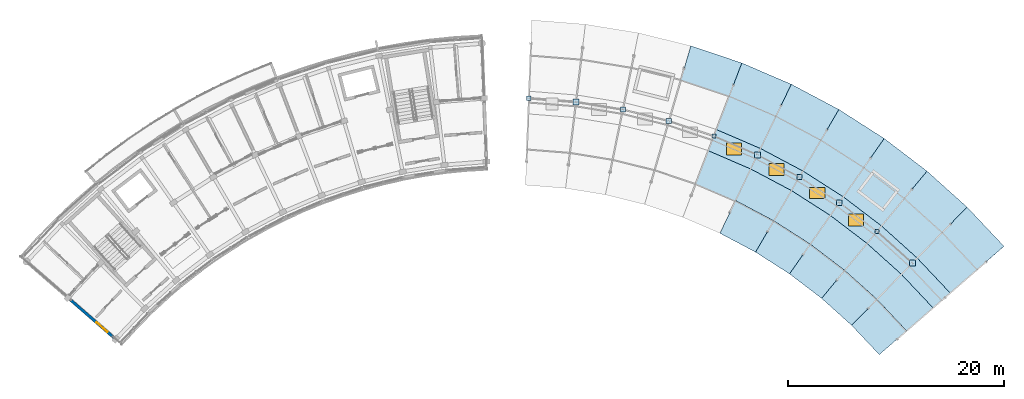
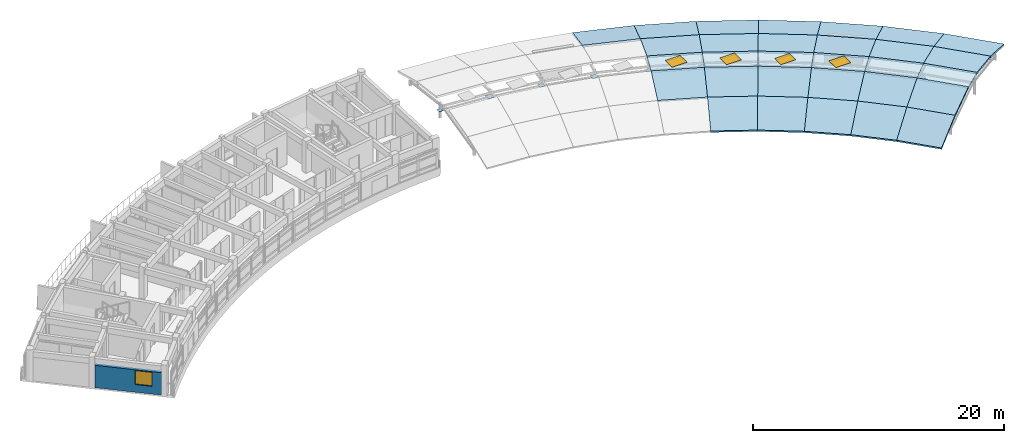
# One storey, part 14 of 20: 30 slabs, 10 plates, 5 windows, 1 wall, 5 openings.
"""IFC4 building model written with IfcOpenShell, lengths in metres."""

from ifc_helpers import new_model, si_unit, direction, frame, frame_2d, origin, origin_2d, place, context, subcontext, project, spatial, polyline, rectangle, outline, extrude, material, layer, layer_set, type_object, element, fill, save


model = new_model("IFC4")

# Units and contexts
model_context = context("Model", 3, precision=1e-05, world=origin(), true_north=direction((0.0, 1.0)))
body_context = subcontext(model_context, "Body", "Model", "MODEL_VIEW")
ifc_project = project(units=[si_unit("LENGTHUNIT", "METRE"), si_unit("AREAUNIT", "SQUARE_METRE"), si_unit("VOLUMEUNIT", "CUBIC_METRE"), si_unit("PLANEANGLEUNIT", "RADIAN"), si_unit("MASSUNIT", "GRAM", prefix="KILO")], contexts=[model_context])

# Site, building, storey
site_placement = place(None, origin())
site = spatial("IfcSite", under=ifc_project, at=site_placement, CompositionType="ELEMENT")
building_placement = place(site_placement, origin())
building = spatial("IfcBuilding", under=site, at=building_placement, Name="Zimvara Arc Housing Community", CompositionType="ELEMENT")
storey_placement = place(building_placement, frame((0.0, 0.0, 39.10009765625)))
storey = spatial("IfcBuildingStorey", under=building, at=storey_placement, Name="L12", CompositionType="ELEMENT", Elevation=39.10009765625)

# Plates
ifc_material_1 = material(Name="Steel S355", Category="steel")
ifc_layer_1 = layer(ifc_material_1, 0.02490234375)
ifc_layer_set_1 = layer_set([ifc_layer_1], Name="Steel S355")
plate_type_1 = type_object("IfcPlateType", Name="PLT-CONN-01", PredefinedType="SHEET", material=ifc_layer_set_1)
for number, where, z_axis, x_axis, name in (
    (1, (55.78125, 97.208740234375, 0.757568359375), (0.0, 0.0, 1.0), (1.0, 0.0, 0.0), "plate:brace_end:013"),
    (2, (72.12744140625, 90.960205078125, 0.757568359375), (0.0, 0.0, 1.0), (1.0, 0.0, 0.0), "plate:brace_end:017"),
):
    element("IfcPlate", number, at=place(storey_placement, frame(where, z_axis=z_axis, x_axis=x_axis)), inside=storey, type_object=plate_type_1, Name=name, PredefinedType="SHEET", context=body_context, shape_type="SweptSolid", body=[
        extrude(rectangle(XDim=0.449951171875, YDim=0.449951171875, at=origin_2d()), origin(), (0.0, 0.0, 1.0), 0.02490234375),
    ])
ifc_material_2 = material(Name="Steel S355", Category="steel")
ifc_layer_2 = layer(ifc_material_2, 0.030029296875)
ifc_layer_set_2 = layer_set([ifc_layer_2], Name="Steel S355")
plate_type_2 = type_object("IfcPlateType", Name="PLT-CONN-02", PredefinedType="SHEET", material=ifc_layer_set_2)
for number, where, z_axis, x_axis, name in (
    (3, (60.0458984375, 96.1533203125, 0.7548828125), (0.0, 0.0, 1.0), (1.0, 0.0, 0.0), "plate:brace_end:014"),
    (4, (75.82763671875, 88.591796875, 0.7548828125), (0.0, 0.0, 1.0), (1.0, 0.0, 0.0), "plate:brace_end:018"),
):
    element("IfcPlate", number, at=place(storey_placement, frame(where, z_axis=z_axis, x_axis=x_axis)), inside=storey, type_object=plate_type_2, Name=name, PredefinedType="SHEET", context=body_context, shape_type="SweptSolid", body=[
        extrude(rectangle(XDim=0.5, YDim=0.5, at=origin_2d()), origin(), (0.0, 0.0, 1.0), 0.030029296875),
    ])
ifc_material_3 = material(Name="Steel S355", Category="steel")
ifc_layer_3 = layer(ifc_material_3, 0.02197265625)
ifc_layer_set_3 = layer_set([ifc_layer_3], Name="Steel S355")
plate_type_3 = type_object("IfcPlateType", Name="PLT-CONN-03", PredefinedType="SHEET", material=ifc_layer_set_3)
for number, where, z_axis, x_axis, name in (
    (5, (47.065185546875, 98.26025390625, 0.759033203125), (0.0, 0.0, 1.0), (1.0, 0.0, 0.0), "plate:brace_end:011"),
    (6, (64.2099609375, 94.75341796875, 0.759033203125), (0.0, 0.0, 1.0), (1.0, 0.0, 0.0), "plate:brace_end:015"),
    (7, (79.322265625, 85.9296875, 0.759033203125), (0.0, 0.0, 1.0), (1.0, 0.0, 0.0), "plate:brace_end:019"),
):
    element("IfcPlate", number, at=place(storey_placement, frame(where, z_axis=z_axis, x_axis=x_axis)), inside=storey, type_object=plate_type_3, Name=name, PredefinedType="SHEET", context=body_context, shape_type="SweptSolid", body=[
        extrude(rectangle(XDim=0.3798828125, YDim=0.3798828125, at=origin_2d()), origin(), (0.0, 0.0, 1.0), 0.02197265625),
    ])
ifc_material_4 = material(Name="Steel S355", Category="steel")
ifc_layer_4 = layer(ifc_material_4, 0.034912109375)
ifc_layer_set_4 = layer_set([ifc_layer_4], Name="Steel S355")
plate_type_4 = type_object("IfcPlateType", Name="PLT-CONN-04", PredefinedType="SHEET", material=ifc_layer_set_4)
for number, where, z_axis, x_axis, name in (
    (8, (51.44482421875, 97.91259765625, 0.75244140625), (0.0, 0.0, 1.0), (1.0, 0.0, 0.0), "plate:brace_end:012"),
    (9, (68.24609375, 93.0185546875, 0.75244140625), (0.0, 0.0, 1.0), (1.0, 0.0, 0.0), "plate:brace_end:016"),
    (10, (82.588134765625, 82.9912109375, 0.75244140625), (0.0, 0.0, 1.0), (1.0, 0.0, 0.0), "plate:brace_end:020"),
):
    element("IfcPlate", number, at=place(storey_placement, frame(where, z_axis=z_axis, x_axis=x_axis)), inside=storey, type_object=plate_type_4, Name=name, PredefinedType="SHEET", context=body_context, shape_type="SweptSolid", body=[
        extrude(rectangle(XDim=0.550048828125, YDim=0.550048828125, at=origin_2d()), origin(), (0.0, 0.0, 1.0), 0.034912109375),
    ])

# Slabs
ifc_material_5 = material(Name="Concrete C40/50", Category="concrete")
ifc_layer_5 = layer(ifc_material_5, 0.179931640625)
ifc_layer_set_5 = layer_set([ifc_layer_5], Name="Concrete C40/50")
slab_type_1 = type_object("IfcSlabType", Name="SLB-BRL-ROOF-180", PredefinedType="ROOF", material=ifc_layer_set_5)
slab_1_placement = place(storey_placement, frame((66.798828125, 101.525634765625, 0.119873046875), z_axis=(0.09247516738, 0.275102849647, 0.95695703432), x_axis=(-0.947886389233, 0.318608526361, 6.101609e-06)))
element("IfcSlab", 11, at=slab_1_placement, inside=storey, type_object=slab_type_1, Name="roof:blkB:out2:b3:t0", PredefinedType="ROOF", context=body_context, shape_type="SweptSolid", body=[
    extrude(outline(polyline([(0.0, 0.0), (4.985389653929499, 0.0), (4.850734550634084, 3.445445679281157), (0.1349417331985991, 3.4456496309847697), (0.0, 0.0)])), origin(), (0.0, 0.0, -1.0), 0.179931640625),
])
slab_2_placement = place(storey_placement, frame((62.513916015625, 90.316650390625, 1.119873046875), z_axis=(-0.070712457889, -0.164501230055, 0.983838957152), x_axis=(0.918721848751, -0.39490526031, 2.722971e-06)))
element("IfcSlab", 12, at=slab_2_placement, inside=storey, type_object=slab_type_1, Name="roof:blkB:in2:b4:t0", PredefinedType="ROOF", context=body_context, shape_type="SweptSolid", body=[
    extrude(outline(polyline([(0.0, 0.0), (4.00548965033428, 0.0), (4.140120306239415, 3.351396979136369), (-0.13461834953424712, 3.351522899930278), (0.0, 0.0)])), origin(), (0.0, 0.0, -1.0), 0.179931640625),
])
slab_3_placement = place(storey_placement, frame((71.37890625, 99.556884765625, 0.119873046875), z_axis=(0.114611047835, 0.266632099941, 0.956959576469), x_axis=(-0.918719042935, 0.394911787806, -8.43398e-07)))
element("IfcSlab", 13, at=slab_3_placement, inside=storey, type_object=slab_type_1, Name="roof:blkB:out2:b4:t0", PredefinedType="ROOF", context=body_context, shape_type="SweptSolid", body=[
    extrude(outline(polyline([(0.0, 0.0), (4.985287573809982, 0.0), (4.850643319133589, 3.445661268397966), (0.13482904830685236, 3.4456330765084333), (0.0, 0.0)])), origin(), (0.0, 0.0, -1.0), 0.179931640625),
])
slab_4_placement = place(storey_placement, frame((69.952880859375, 96.580810546875, 1.119873046875), z_axis=(0.070710621349, 0.164504777522, 0.983838495994), x_axis=(-0.918721451973, 0.394906183397, -5.98803e-07)))
element("IfcSlab", 14, at=slab_4_placement, inside=storey, type_object=slab_type_1, Name="roof:blkB:out1:b4:t0", PredefinedType="ROOF", context=body_context, shape_type="SweptSolid", body=[
    extrude(outline(polyline([(0.0, 0.0), (4.715814270912177, -2.220446049250313e-16), (4.580966317737475, 3.3514278322517437), (0.13462534962344344, 3.351397192310583), (0.0, 0.0)])), origin(), (0.0, 0.0, -1.0), 0.179931640625),
])
slab_5_placement = place(storey_placement, frame((64.767822265625, 85.7587890625, 0.119873046875), z_axis=(-0.135986745454, -0.256395013371, 0.95695830744), x_axis=(0.883439094078, -0.468546013796, 3.287226e-06)))
element("IfcSlab", 15, at=slab_5_placement, inside=storey, type_object=slab_type_1, Name="roof:blkB:in1:b5:t0", PredefinedType="ROOF", context=body_context, shape_type="SweptSolid", body=[
    extrude(outline(polyline([(0.0, 0.0), (3.7360078202528384, 0.0), (3.8706057869472996, 3.4455536537268587), (-0.1346178455038656, 3.445641334457608), (0.0, 0.0)])), origin(), (0.0, 0.0, -1.0), 0.179931640625),
])
slab_6_placement = place(storey_placement, frame((66.19384765625, 88.73486328125, 1.119873046875), z_axis=(-0.083896599764, -0.158184502053, 0.983838921703), x_axis=(0.883429102456, -0.468564852422, -3.049312e-06)))
element("IfcSlab", 16, at=slab_6_placement, inside=storey, type_object=slab_type_1, Name="roof:blkB:in2:b5:t0", PredefinedType="ROOF", context=body_context, shape_type="SweptSolid", body=[
    extrude(outline(polyline([(0.0, 0.0), (4.005223633412223, 0.0), (4.13996185236109, 3.3515267973960094), (-0.13490895700299163, 3.3513857877843596), (0.0, 0.0)])), origin(), (0.0, 0.0, -1.0), 0.179931640625),
])
slab_7_placement = place(storey_placement, frame((75.782958984375, 97.220947265625, 0.119873046875), z_axis=(0.135988231585, 0.256404064967, 0.956955671042), x_axis=(-0.883425537686, 0.468571573286, -8.54743e-06)))
element("IfcSlab", 17, at=slab_7_placement, inside=storey, type_object=slab_type_1, Name="roof:blkB:out2:b5:t0", PredefinedType="ROOF", context=body_context, shape_type="SweptSolid", body=[
    extrude(outline(polyline([(0.0, 0.0), (4.985206564334068, -2.220446049250313e-16), (4.8504814854750435, 3.4456371430200474), (0.13460513321812279, 3.4453514449486655), (0.0, 0.0)])), origin(), (0.0, 0.0, -1.0), 0.179931640625),
])
slab_8_placement = place(storey_placement, frame((74.119140625, 94.371337890625, 1.119873046875), z_axis=(0.083893074073, 0.15818637194, 0.983838921702), x_axis=(-0.883453774084, 0.46851833374, 2.477548e-06)))
element("IfcSlab", 18, at=slab_8_placement, inside=storey, type_object=slab_type_1, Name="roof:blkB:out1:b5:t0", PredefinedType="ROOF", context=body_context, shape_type="SweptSolid", body=[
    extrude(outline(polyline([(0.0, 0.0), (4.715876361106288, 4.440892098500626e-16), (4.581144340152476, 3.3513929056118434), (0.13491516216377095, 3.351519679241113), (0.0, 0.0)])), origin(), (0.0, 0.0, -1.0), 0.179931640625),
])
slab_9_placement = place(storey_placement, frame((68.068359375, 84.00830078125, 0.119873046875), z_axis=(-0.156447102346, -0.244455462342, 0.956956546087), x_axis=(0.842280674897, -0.539039205154, 1.350984e-06)))
element("IfcSlab", 19, at=slab_9_placement, inside=storey, type_object=slab_type_1, Name="roof:blkB:in1:b6:t0", PredefinedType="ROOF", context=body_context, shape_type="SweptSolid", body=[
    extrude(outline(polyline([(0.0, 0.0), (3.735671069869153, 4.440892098500626e-16), (3.8707722334182453, 3.4455105282251943), (-0.13477937224216355, 3.4455465624924706), (0.0, 0.0)])), origin(), (0.0, 0.0, -1.0), 0.179931640625),
])
slab_10_placement = place(storey_placement, frame((69.732177734375, 86.858154296875, 1.119873046875), z_axis=(-0.096520263399, -0.150811921705, 0.983839216043), x_axis=(0.842275634914, -0.539047080343, 1.971929e-06)))
element("IfcSlab", 20, at=slab_10_placement, inside=storey, type_object=slab_type_1, Name="roof:blkB:in2:b6:t0", PredefinedType="ROOF", context=body_context, shape_type="SweptSolid", body=[
    extrude(outline(polyline([(0.0, 0.0), (4.005551605817919, -2.220446049250313e-16), (4.140284536327974, 3.351440968343622), (-0.13460473492920297, 3.351532161076983), (0.0, 0.0)])), origin(), (0.0, 0.0, -1.0), 0.179931640625),
])
slab_11_placement = place(storey_placement, frame((79.98193359375, 94.53369140625, 0.119873046875), z_axis=(0.15645556572, 0.244456343302, 0.956954937379), x_axis=(-0.842278268879, 0.539042964638, 6.950205e-06)))
element("IfcSlab", 21, at=slab_11_placement, inside=storey, type_object=slab_type_1, Name="roof:blkB:out2:b6:t0", PredefinedType="ROOF", context=body_context, shape_type="SweptSolid", body=[
    extrude(outline(polyline([(0.0, 0.0), (4.98525143023, 4.440892098500626e-16), (4.850594542336752, 3.445349422672999), (0.13475480914106122, 3.445581731723394), (0.0, 0.0)])), origin(), (0.0, 0.0, -1.0), 0.179931640625),
])
slab_12_placement = place(storey_placement, frame((78.091064453125, 91.8291015625, 1.119873046875), z_axis=(0.096524010995, 0.150809523184, 0.98383921604), x_axis=(-0.842251807739, 0.539084309138, -1.549914e-06)))
element("IfcSlab", 22, at=slab_12_placement, inside=storey, type_object=slab_type_1, Name="roof:blkB:out1:b6:t0", PredefinedType="ROOF", context=body_context, shape_type="SweptSolid", body=[
    extrude(outline(polyline([(0.0, 0.0), (4.715839739050771, 0.0), (4.581087144152352, 3.3515262194373645), (0.13458507437067185, 3.3514469091157877), (0.0, 0.0)])), origin(), (0.0, 0.0, -1.0), 0.179931640625),
])
slab_13_placement = place(storey_placement, frame((71.21484375, 81.99462890625, 0.119873046875), z_axis=(-0.175882009025, -0.230875457384, 0.956954566361), x_axis=(0.79548303018, -0.605975864746, 6.477378e-06)))
element("IfcSlab", 23, at=slab_13_placement, inside=storey, type_object=slab_type_1, Name="roof:blkB:in1:b7:t0", PredefinedType="ROOF", context=body_context, shape_type="SweptSolid", body=[
    extrude(outline(polyline([(0.0, 0.0), (3.7359934375398796, -2.220446049250313e-16), (3.8708762257005436, 3.4453646679605323), (-0.1344132252627734, 3.4455374339521794), (0.0, 0.0)])), origin(), (0.0, 0.0, -1.0), 0.179931640625),
])
slab_14_placement = place(storey_placement, frame((73.10595703125, 84.698974609375, 1.119873046875), z_axis=(-0.108511024271, -0.142432268418, 0.983838607966), x_axis=(0.795456857751, -0.606010220588, 4.35026e-07)))
element("IfcSlab", 24, at=slab_14_placement, inside=storey, type_object=slab_type_1, Name="roof:blkB:in2:b7:t0", PredefinedType="ROOF", context=body_context, shape_type="SweptSolid", body=[
    extrude(outline(polyline([(0.0, 0.0), (4.005289454768839, 0.0), (4.139875677323969, 3.351413969958724), (-0.13490400173161937, 3.3514340866611083), (0.0, 0.0)])), origin(), (0.0, 0.0, -1.0), 0.179931640625),
])
slab_15_placement = place(storey_placement, frame((83.947509765625, 91.5126953125, 0.119873046875), z_axis=(0.175875567209, 0.230868180919, 0.956957505795), x_axis=(-0.795470079443, 0.605992865231, -7.51366e-07)))
element("IfcSlab", 25, at=slab_15_placement, inside=storey, type_object=slab_type_1, Name="roof:blkB:out2:b7:t0", PredefinedType="ROOF", context=body_context, shape_type="SweptSolid", body=[
    extrude(outline(polyline([(0.0, 0.0), (4.985199271180663, 8.881784197001252e-16), (4.850366196635601, 3.445578670104194), (0.1346571492318466, 3.4455535555913195), (0.0, 0.0)])), origin(), (0.0, 0.0, -1.0), 0.179931640625),
])
slab_16_placement = place(storey_placement, frame((81.84228515625, 88.971435546875, 1.119873046875), z_axis=(0.108506384544, 0.142435802798, 0.983838608002), x_axis=(-0.79547337268, 0.605988542265, -5.33454e-07)))
element("IfcSlab", 26, at=slab_16_placement, inside=storey, type_object=slab_type_1, Name="roof:blkB:out1:b7:t0", PredefinedType="ROOF", context=body_context, shape_type="SweptSolid", body=[
    extrude(outline(polyline([(0.0, 0.0), (4.715709047471562, 0.0), (4.580894323096113, 3.3514376791170313), (0.13467549925456193, 3.351410383589765), (0.0, 0.0)])), origin(), (0.0, 0.0, -1.0), 0.179931640625),
])
slab_17_placement = place(storey_placement, frame((74.186767578125, 79.730712890625, 0.119873046875), z_axis=(-0.194129981956, -0.215749813979, 0.956956408555), x_axis=(0.743345251785, -0.668907943228, -1.1666158e-05)))
element("IfcSlab", 27, at=slab_17_placement, inside=storey, type_object=slab_type_1, Name="roof:blkB:in1:b8:t0", PredefinedType="ROOF", context=body_context, shape_type="SweptSolid", body=[
    extrude(outline(polyline([(0.0, 0.0), (3.735960436017862, -2.220446049250313e-16), (3.870505371153689, 3.44567874427247), (-0.13480848426700914, 3.4453675758774387), (0.0, 0.0)])), origin(), (0.0, 0.0, -1.0), 0.179931640625),
])
slab_18_placement = place(storey_placement, frame((76.2919921875, 82.271728515625, 1.119873046875), z_axis=(-0.119759088135, -0.133110822128, 0.983839046715), x_axis=(0.743397502482, -0.668849873512, -2.591404e-06)))
element("IfcSlab", 28, at=slab_18_placement, inside=storey, type_object=slab_type_1, Name="roof:blkB:in2:b8:t0", PredefinedType="ROOF", context=body_context, shape_type="SweptSolid", body=[
    extrude(outline(polyline([(0.0, 0.0), (4.005313867752914, 4.440892098500626e-16), (4.140126493982731, 3.3515290694115416), (-0.13470411112112585, 3.3514092336918604), (0.0, 0.0)])), origin(), (0.0, 0.0, -1.0), 0.179931640625),
])
slab_19_placement = place(storey_placement, frame((87.653564453125, 88.17822265625, 0.119873046875), z_axis=(0.194121217276, 0.215747860528, 0.956958626943), x_axis=(-0.743390820217, 0.66885730048, 3.552249e-06)))
element("IfcSlab", 29, at=slab_19_placement, inside=storey, type_object=slab_type_1, Name="roof:blkB:out2:b8:t0", PredefinedType="ROOF", context=body_context, shape_type="SweptSolid", body=[
    extrude(outline(polyline([(0.0, 0.0), (4.985333413291151, 4.440892098500626e-16), (4.850601467989946, 3.4455506315936577), (0.1347847908198624, 3.4456693704122747), (0.0, 0.0)])), origin(), (0.0, 0.0, -1.0), 0.179931640625),
])
slab_20_placement = place(storey_placement, frame((85.347900390625, 85.817138671875, 1.119873046875), z_axis=(0.119768131478, 0.133109101782, 0.983838178617), x_axis=(-0.743374059817, 0.668875928099, -9.67496e-07)))
element("IfcSlab", 30, at=slab_20_placement, inside=storey, type_object=slab_type_1, Name="roof:blkB:out1:b8:t0", PredefinedType="ROOF", context=body_context, shape_type="SweptSolid", body=[
    extrude(outline(polyline([(0.0, 0.0), (4.715816678698966, -4.440892098500626e-16), (4.580997978532294, 3.3514046260341583), (0.13486133254204288, 3.351355122176961), (0.0, 0.0)])), origin(), (0.0, 0.0, -1.0), 0.179931640625),
])
slab_21_placement = place(storey_placement, frame((76.9638671875, 77.231689453125, 0.119873046875), z_axis=(-0.211074141354, -0.199193726997, 0.956958497521), x_axis=(0.686355593412, -0.727266113169, 5.297975e-06)))
element("IfcSlab", 31, at=slab_21_placement, inside=storey, type_object=slab_type_1, Name="roof:blkB:in1:b9:t0", PredefinedType="ROOF", context=body_context, shape_type="SweptSolid", body=[
    extrude(outline(polyline([(0.0, 0.0), (3.735971037857521, 4.440892098500626e-16), (3.870770651462755, 3.445534275360596), (-0.13462564837904734, 3.4456755919190725), (0.0, 0.0)])), origin(), (0.0, 0.0, -1.0), 0.179931640625),
])
slab_22_placement = place(storey_placement, frame((79.26953125, 79.5927734375, 1.119873046875), z_axis=(-0.130227289342, -0.122888904772, 0.983838996073), x_axis=(0.686329560506, -0.727290680792, 2.930405e-06)))
element("IfcSlab", 32, at=slab_22_placement, inside=storey, type_object=slab_type_1, Name="roof:blkB:in2:b9:t0", PredefinedType="ROOF", context=body_context, shape_type="SweptSolid", body=[
    extrude(outline(polyline([(0.0, 0.0), (4.005396302370371, 0.0), (4.1400743522700765, 3.351396186473663), (-0.13474721718503768, 3.3515316997951), (0.0, 0.0)])), origin(), (0.0, 0.0, -1.0), 0.179931640625),
])
slab_23_placement = place(storey_placement, frame((91.074951171875, 84.552490234375, 0.119873046875), z_axis=(0.211079264634, 0.199188298067, 0.956958497509), x_axis=(-0.686315124045, 0.727304303915, -3.777367e-06)))
element("IfcSlab", 33, at=slab_23_placement, inside=storey, type_object=slab_type_1, Name="roof:blkB:out2:b9:t0", PredefinedType="ROOF", context=body_context, shape_type="SweptSolid", body=[
    extrude(outline(polyline([(0.0, 0.0), (4.985160245557532, 8.881784197001252e-16), (4.850342041510173, 3.4456680632130494), (0.13460706571473968, 3.445541803027942), (0.0, 0.0)])), origin(), (0.0, 0.0, -1.0), 0.179931640625),
])
slab_24_placement = place(storey_placement, frame((88.58447265625, 82.387451171875, 1.119873046875), z_axis=(0.130228031957, 0.122894534297, 0.983838194589), x_axis=(-0.686334567989, 0.727285955305, 5.40002e-07)))
element("IfcSlab", 34, at=slab_24_placement, inside=storey, type_object=slab_type_1, Name="roof:blkB:out1:b9:t0", PredefinedType="ROOF", context=body_context, shape_type="SweptSolid", body=[
    extrude(outline(polyline([(0.0, 0.0), (4.715734977526038, 0.0), (4.5811865887610415, 3.351367700663763), (0.13469931731943227, 3.3513953317811236), (0.0, 0.0)])), origin(), (0.0, 0.0, -1.0), 0.179931640625),
])

# Slab, opening, window
ifc_material_6 = material(Name="Concrete C40/50", Category="concrete")
ifc_layer_6 = layer(ifc_material_6, 0.205078125)
ifc_layer_set_6 = layer_set([ifc_layer_6], Name="Concrete C40/50")
slab_type_2 = type_object("IfcSlabType", Name="SLB-CURB-ROOF-205", PredefinedType="ROOF", material=ifc_layer_set_6)
slab_25_placement = place(storey_placement, frame((0.0, 0.0, 1.514892578125)))
slab_25 = element("IfcSlab", 35, at=slab_25_placement, inside=storey, type_object=slab_type_2, Name="roof:blkB:curb:b4", PredefinedType="ROOF", context=body_context, shape_type="SweptSolid", body=[
    extrude(outline(polyline([(63.6923828125, 93.399169921875), (67.61962890625, 91.7109375), (68.527099609375, 93.604736328125), (64.442138671875, 95.360595703125), (63.6923828125, 93.399169921875)])), origin(), (0.0, 0.0, 1.0), 0.205078125),
])
opening_1_placement = place(slab_25_placement, frame((66.087890625, 93.559814453125, 0.0)))
opening_1 = element("IfcOpeningElement", 36, at=opening_1_placement, cuts=slab_25, Name="Opening SK1", PredefinedType="OPENING", context=body_context, shape_type="SweptSolid", body=[
    extrude(rectangle(XDim=1.39990234375, YDim=1.10009765625, at=origin_2d()), origin(), (0.0, 0.0, 1.0), 0.205078125),
])
ifc_material_7 = material(Name="Solar Control Low-E Double Glazing", Category="glass")
window_type_1 = type_object("IfcWindowType", Name="SKY-BRL-2200x1200", PartitioningType="SINGLE_PANEL", PredefinedType="SKYLIGHT", material=ifc_material_7)
window_1_placement = place(opening_1_placement, frame((0.0, 0.0, 0.155029296875)))
window_1 = element("IfcWindow", 37, at=window_1_placement, inside=storey, type_object=window_type_1, Name="sky:blkB:b4", OverallHeight=1.10009765625, OverallWidth=1.39990234375, PartitioningType="SINGLE_PANEL", PredefinedType="SKYLIGHT", context=body_context, shape_type="SweptSolid", body=[
    extrude(rectangle(XDim=1.39990234375, YDim=1.10009765625, at=origin_2d()), origin(), (0.0, 0.0, 1.0), 0.050048828125),
])
fill(opening_1, window_1)

slab_26_placement = place(storey_placement, frame((0.0, 0.0, 1.514892578125)))
slab_26 = element("IfcSlab", 38, at=slab_26_placement, inside=storey, type_object=slab_type_2, Name="roof:blkB:curb:b5", PredefinedType="ROOF", context=body_context, shape_type="SweptSolid", body=[
    extrude(outline(polyline([(67.61962890625, 91.7109375), (71.396240234375, 89.7080078125), (72.455078125, 91.521484375), (68.527099609375, 93.604736328125), (67.61962890625, 91.7109375)])), origin(), (0.0, 0.0, 1.0), 0.205078125),
])
opening_2_placement = place(slab_26_placement, frame((70.0205078125, 91.675537109375, 0.0)))
opening_2 = element("IfcOpeningElement", 39, at=opening_2_placement, cuts=slab_26, Name="Opening SK2", PredefinedType="OPENING", context=body_context, shape_type="SweptSolid", body=[
    extrude(rectangle(XDim=1.39990234375, YDim=1.10009765625, at=origin_2d()), origin(), (0.0, 0.0, 1.0), 0.205078125),
])
ifc_material_8 = material(Name="Solar Control Low-E Double Glazing", Category="glass")
window_type_2 = type_object("IfcWindowType", Name="SKY-BRL-2000x1100", PartitioningType="SINGLE_PANEL", PredefinedType="SKYLIGHT", material=ifc_material_8)
window_2_placement = place(opening_2_placement, frame((0.0, 0.0, 0.155029296875)))
window_2 = element("IfcWindow", 40, at=window_2_placement, inside=storey, type_object=window_type_2, Name="sky:blkB:b5", OverallHeight=1.10009765625, OverallWidth=1.39990234375, PartitioningType="SINGLE_PANEL", PredefinedType="SKYLIGHT", context=body_context, shape_type="SweptSolid", body=[
    extrude(rectangle(XDim=1.39990234375, YDim=1.10009765625, at=origin_2d()), origin(), (0.0, 0.0, 1.0), 0.050048828125),
])
fill(opening_2, window_2)

slab_27_placement = place(storey_placement, frame((0.0, 0.0, 1.514892578125)))
slab_27 = element("IfcSlab", 41, at=slab_27_placement, inside=storey, type_object=slab_type_2, Name="roof:blkB:curb:b6", PredefinedType="ROOF", context=body_context, shape_type="SweptSolid", body=[
    extrude(outline(polyline([(71.396240234375, 89.7080078125), (74.996826171875, 87.403564453125), (76.2001953125, 89.12451171875), (72.455078125, 91.521484375), (71.396240234375, 89.7080078125)])), origin(), (0.0, 0.0, 1.0), 0.205078125),
])
opening_3_placement = place(slab_27_placement, frame((73.7861328125, 89.476806640625, 0.0)))
opening_3 = element("IfcOpeningElement", 42, at=opening_3_placement, cuts=slab_27, Name="Opening SK3", PredefinedType="OPENING", context=body_context, shape_type="SweptSolid", body=[
    extrude(rectangle(XDim=1.39990234375, YDim=1.0, at=origin_2d()), origin(), (0.0, 0.0, 1.0), 0.205078125),
])
ifc_material_9 = material(Name="Solar Control Low-E Double Glazing", Category="glass")
window_type_3 = type_object("IfcWindowType", Name="SKY-BRL-1800x1000", PartitioningType="SINGLE_PANEL", PredefinedType="SKYLIGHT", material=ifc_material_9)
window_3_placement = place(opening_3_placement, frame((0.0, 0.0, 0.155029296875)))
window_3 = element("IfcWindow", 43, at=window_3_placement, inside=storey, type_object=window_type_3, Name="sky:blkB:b6", OverallHeight=1.0, OverallWidth=1.39990234375, PartitioningType="SINGLE_PANEL", PredefinedType="SKYLIGHT", context=body_context, shape_type="SweptSolid", body=[
    extrude(rectangle(XDim=1.39990234375, YDim=1.0, at=origin_2d()), origin(), (0.0, 0.0, 1.0), 0.050048828125),
])
fill(opening_3, window_3)

slab_28_placement = place(storey_placement, frame((0.0, 0.0, 1.514892578125)))
slab_28 = element("IfcSlab", 44, at=slab_28_placement, inside=storey, type_object=slab_type_2, Name="roof:blkB:curb:b7", PredefinedType="ROOF", context=body_context, shape_type="SweptSolid", body=[
    extrude(outline(polyline([(74.996826171875, 87.403564453125), (78.397216796875, 84.81298828125), (79.737060546875, 86.43017578125), (76.2001953125, 89.12451171875), (74.996826171875, 87.403564453125)])), origin(), (0.0, 0.0, 1.0), 0.205078125),
])
opening_4_placement = place(slab_28_placement, frame((77.35986328125, 86.978271484375, 0.0)))
opening_4 = element("IfcOpeningElement", 45, at=opening_4_placement, cuts=slab_28, Name="Opening SK1", PredefinedType="OPENING", context=body_context, shape_type="SweptSolid", body=[
    extrude(rectangle(XDim=1.39990234375, YDim=1.10009765625, at=origin_2d()), origin(), (0.0, 0.0, 1.0), 0.205078125),
])
window_4_placement = place(opening_4_placement, frame((0.0, 0.0, 0.155029296875)))
window_4 = element("IfcWindow", 46, at=window_4_placement, inside=storey, type_object=window_type_1, Name="sky:blkB:b7", OverallHeight=1.10009765625, OverallWidth=1.39990234375, PartitioningType="SINGLE_PANEL", PredefinedType="SKYLIGHT", context=body_context, shape_type="SweptSolid", body=[
    extrude(rectangle(XDim=1.39990234375, YDim=1.10009765625, at=origin_2d()), origin(), (0.0, 0.0, 1.0), 0.050048828125),
])
fill(opening_4, window_4)

# Slabs
slab_29_placement = place(storey_placement, frame((0.0, 0.0, 1.514892578125)))
element("IfcSlab", 47, at=slab_29_placement, inside=storey, type_object=slab_type_2, Name="roof:blkB:curb:b8", PredefinedType="ROOF", context=body_context, shape_type="SweptSolid", body=[
    extrude(outline(polyline([(78.397216796875, 84.81298828125), (81.5751953125, 81.953857421875), (83.042236328125, 83.456298828125), (79.737060546875, 86.43017578125), (78.397216796875, 84.81298828125)])), origin(), (0.0, 0.0, 1.0), 0.205078125),
])
slab_30_placement = place(storey_placement, frame((0.0, 0.0, 1.514892578125)))
element("IfcSlab", 48, at=slab_30_placement, inside=storey, type_object=slab_type_2, Name="roof:blkB:curb:b9", PredefinedType="ROOF", context=body_context, shape_type="SweptSolid", body=[
    extrude(outline(polyline([(81.5751953125, 81.953857421875), (84.509033203125, 78.8447265625), (86.093994140625, 80.222412109375), (83.042236328125, 83.456298828125), (81.5751953125, 81.953857421875)])), origin(), (0.0, 0.0, 1.0), 0.205078125),
])

# Wall, opening, window
ifc_material_10 = material(Name="Board-Marked Fair-Faced Concrete C35/45", Category="concrete")
ifc_layer_7 = layer(ifc_material_10, 0.2548828125)
ifc_layer_set_7 = layer_set([ifc_layer_7], Name="Board-Marked Fair-Faced Concrete C35/45")
wall_type = type_object("IfcWallType", Name="EWL-CONC-255", PredefinedType="SOLIDWALL", material=ifc_layer_set_7)
wall_placement = place(storey_placement, frame((8.653076171875, 76.095703125, 0.0), z_axis=(0.0, 0.0, 1.0), x_axis=(-0.754709658894, 0.65605893849, 0.0)))
wall = element("IfcWall", 49, at=wall_placement, inside=storey, type_object=wall_type, Name="ewall:blkA:L12:g0", PredefinedType="SOLIDWALL", context=body_context, shape_type="SweptSolid", body=[
    extrude(rectangle(XDim=5.39990234375, YDim=0.2548828125, at=frame_2d((2.699951171875, 0.0))), origin(), (0.0, 0.0, 1.0), 2.179931640625),
])
opening_5_placement = place(wall_placement, frame((0.7900390625, 0.0, 0.75)))
opening_5 = element("IfcOpeningElement", 50, at=opening_5_placement, cuts=wall, Name="Opening W12", PredefinedType="OPENING", context=body_context, shape_type="SweptSolid", body=[
    extrude(rectangle(XDim=1.35009765625, YDim=1.35009765625, at=frame_2d((0.675048828125, 0.675048828125))), frame((0.0, 0.137451171875, 0.0), z_axis=(0.0, -1.0, 0.0), x_axis=(1.0, 0.0, 0.0)), (0.0, 0.0, 1.0), 0.27490234375),
])
ifc_material_11 = material(Name="Solar Control Low-E Double Glazing", Category="glass")
window_type_4 = type_object("IfcWindowType", Name="WIN-RES-1350x1350", PartitioningType="DOUBLE_PANEL_VERTICAL", PredefinedType="WINDOW", material=ifc_material_11)
window_5_placement = place(opening_5_placement, origin())
window_5 = element("IfcWindow", 51, at=window_5_placement, inside=storey, type_object=window_type_4, Name="win:blkA:L12:g0:w", OverallHeight=1.35009765625, OverallWidth=1.35009765625, PartitioningType="DOUBLE_PANEL_VERTICAL", PredefinedType="WINDOW", context=body_context, shape_type="SweptSolid", body=[
    extrude(rectangle(XDim=1.35009765625, YDim=1.35009765625, at=frame_2d((0.675048828125, 0.675048828125))), frame((0.0, 0.030029296875, 0.0), z_axis=(0.0, -1.0, 0.0), x_axis=(1.0, 0.0, 0.0)), (0.0, 0.0, 1.0), 0.06005859375),
])
fill(opening_5, window_5)

save(model, "model.ifc")
